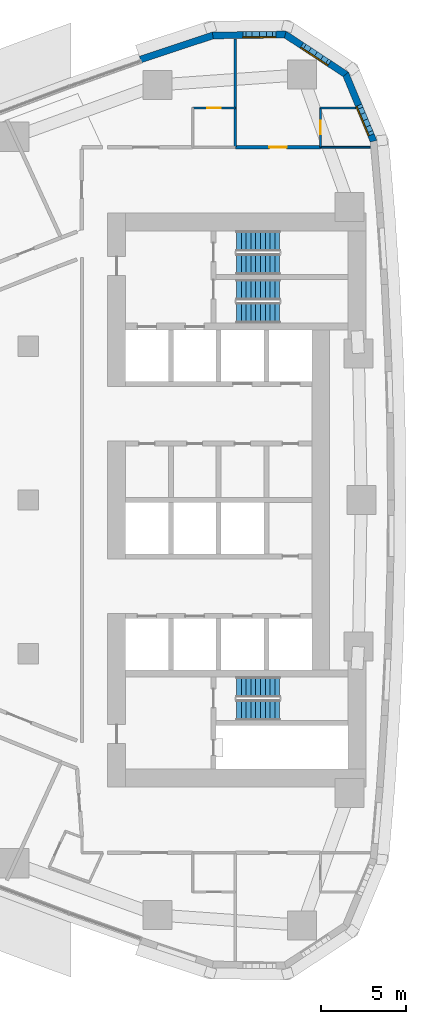
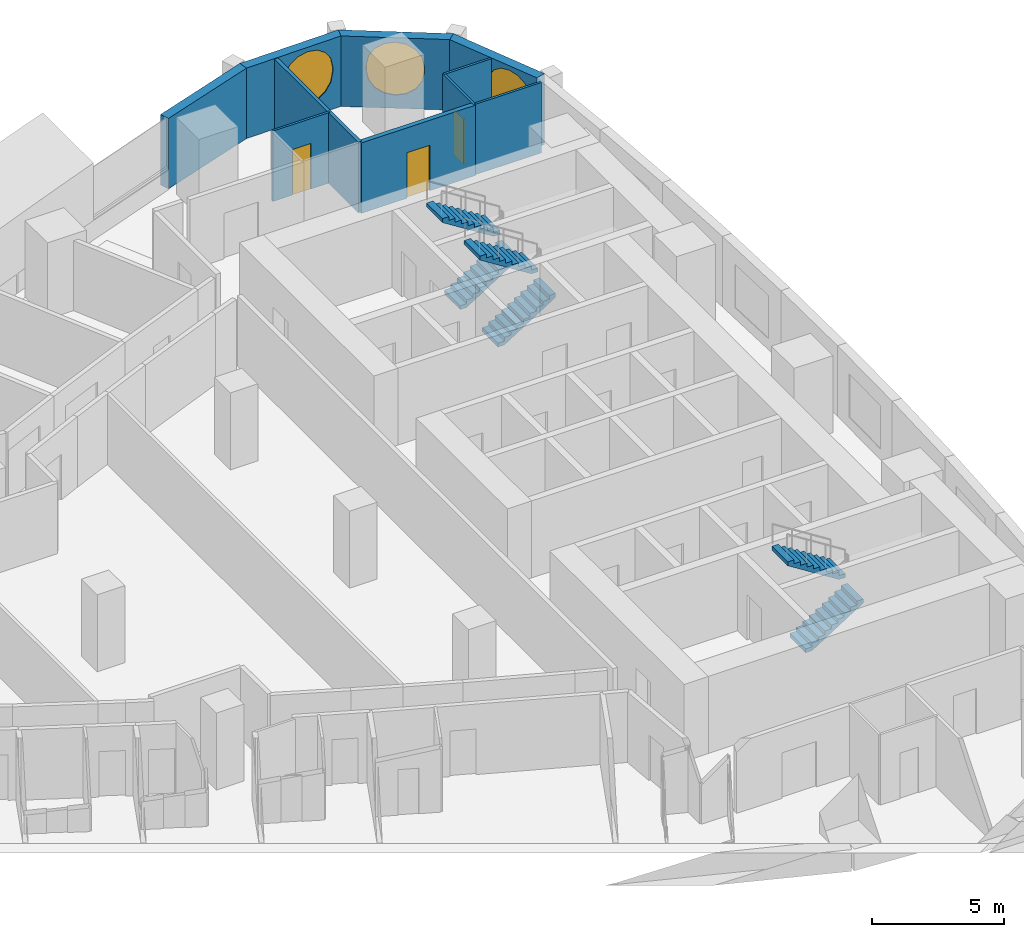
# One storey, part 13 of 17: 10 walls, 6 stair flights, 3 doors, 3 windows, 6 openings, 3 elements without a shape of their own.
"""IFC4 building model written with IfcOpenShell, lengths in metres."""

from ifc_helpers import new_model, si_unit, direction, frame, frame_2d, origin, place, context, subcontext, project, spatial, polyline, rectangle, outline, extrude, material, layer, layer_set, type_object, element, fill, aggregate, save


model = new_model("IFC4")

# Units and contexts
model_context = context("Model", 3, precision=1e-05, world=origin(), true_north=direction((0.0, 1.0)))
body_context = subcontext(model_context, "Body", "Model", "MODEL_VIEW")
ifc_project = project(units=[si_unit("LENGTHUNIT", "METRE"), si_unit("AREAUNIT", "SQUARE_METRE"), si_unit("VOLUMEUNIT", "CUBIC_METRE"), si_unit("PLANEANGLEUNIT", "RADIAN"), si_unit("MASSUNIT", "GRAM", prefix="KILO")], contexts=[model_context])

# Site, building, storey
site_placement = place(None, origin())
site = spatial("IfcSite", under=ifc_project, at=site_placement, CompositionType="ELEMENT")
building_placement = place(site_placement, origin())
building = spatial("IfcBuilding", under=site, at=building_placement, Name="Ostrand Prow Hotel Tower", CompositionType="ELEMENT")
storey_placement = place(building_placement, frame((0.0, 0.0, 88.449951171875)))
storey = spatial("IfcBuildingStorey", under=building, at=storey_placement, Name="L20", CompositionType="ELEMENT", Elevation=88.449951171875)

# Wall, opening, door
ifc_material_1 = material(Name="Plasterboard partition")
ifc_layer_1 = layer(ifc_material_1, 0.10009765625)
ifc_layer_set_1 = layer_set([ifc_layer_1], Name="Plasterboard partition")
wall_type_1 = type_object("IfcWallType", Name="Partition 100 bathroom wall", PredefinedType="PARTITIONING", material=ifc_layer_set_1)
wall_1_placement = place(storey_placement, frame((54.630615234375, 22.949951171875, 0.0), z_axis=(0.0, 0.0, 1.0), x_axis=(1.0, 0.0, 0.0)))
wall_1 = element("IfcWall", 1, at=wall_1_placement, inside=storey, type_object=wall_type_1, Name="BATHROOM WALL", PredefinedType="PARTITIONING", context=body_context, shape_type="SweptSolid", body=[
    extrude(rectangle(XDim=2.5, YDim=0.10009765625, at=frame_2d((1.25, 0.0))), origin(), (0.0, 0.0, 1.0), 3.25),
])
opening_1_placement = place(wall_1_placement, frame((0.85009765625, 0.0, 0.0)))
opening_1 = element("IfcOpeningElement", 2, at=opening_1_placement, cuts=wall_1, Name="Opening D2", PredefinedType="OPENING", context=body_context, shape_type="SweptSolid", body=[
    extrude(rectangle(XDim=0.800048828125, YDim=2.10009765625, at=frame_2d((0.39990234375, 1.050048828125))), frame((0.0, 0.06005859375, 0.0), z_axis=(0.0, -1.0, 0.0), x_axis=(1.0, 0.0, 0.0)), (0.0, 0.0, 1.0), 0.1201171875),
])
ifc_material_2 = material(Name="Timber door leaf", Category="wood")
door_type_1 = type_object("IfcDoorType", Name="Bathroom door 800", OperationType="SINGLE_SWING_LEFT", PredefinedType="DOOR", material=ifc_material_2)
door_1_placement = place(opening_1_placement, origin())
door_1 = element("IfcDoor", 3, at=door_1_placement, inside=storey, type_object=door_type_1, Name="DOOR", OperationType="SINGLE_SWING_LEFT", OverallHeight=2.10009765625, OverallWidth=0.800048828125, PredefinedType="DOOR", context=body_context, shape_type="SweptSolid", body=[
    extrude(rectangle(XDim=0.800048828125, YDim=2.10009765625, at=frame_2d((0.39990234375, 1.050048828125))), frame((0.0, 0.02490234375, 0.0), z_axis=(0.0, -1.0, 0.0), x_axis=(1.0, 0.0, 0.0)), (0.0, 0.0, 1.0), 0.050048828125),
])
fill(opening_1, door_1)

wall_2_placement = place(storey_placement, frame((62.111083984375, 20.64990234375, 0.0), z_axis=(0.0, 0.0, 1.0), x_axis=(0.0, 1.0, 0.0)))
wall_2 = element("IfcWall", 4, at=wall_2_placement, inside=storey, type_object=wall_type_1, Name="BATHROOM WALL", PredefinedType="PARTITIONING", context=body_context, shape_type="SweptSolid", body=[
    extrude(rectangle(XDim=2.300048828125, YDim=0.10009765625, at=frame_2d((1.14990234375, 0.0))), origin(), (0.0, 0.0, 1.0), 3.25),
])
opening_2_placement = place(wall_2_placement, frame((0.75, 0.0, 0.0)))
opening_2 = element("IfcOpeningElement", 5, at=opening_2_placement, cuts=wall_2, Name="Opening D2", PredefinedType="OPENING", context=body_context, shape_type="SweptSolid", body=[
    extrude(rectangle(XDim=0.800048828125, YDim=2.10009765625, at=frame_2d((0.39990234375, 1.050048828125))), frame((0.0, 0.06005859375, 0.0), z_axis=(0.0, -1.0, 0.0), x_axis=(1.0, 0.0, 0.0)), (0.0, 0.0, 1.0), 0.1201171875),
])
door_2_placement = place(opening_2_placement, origin())
door_2 = element("IfcDoor", 6, at=door_2_placement, inside=storey, type_object=door_type_1, Name="DOOR", OperationType="SINGLE_SWING_LEFT", OverallHeight=2.10009765625, OverallWidth=0.800048828125, PredefinedType="DOOR", context=body_context, shape_type="SweptSolid", body=[
    extrude(rectangle(XDim=0.800048828125, YDim=2.10009765625, at=frame_2d((0.39990234375, 1.050048828125))), frame((0.0, 0.02490234375, 0.0), z_axis=(0.0, -1.0, 0.0), x_axis=(1.0, 0.0, 0.0)), (0.0, 0.0, 1.0), 0.050048828125),
])
fill(opening_2, door_2)

# Walls
wall_3_placement = place(storey_placement, frame((62.111083984375, 22.949951171875, 0.0), z_axis=(0.0, 0.0, 1.0), x_axis=(1.0, 0.0, 0.0)))
element("IfcWall", 7, at=wall_3_placement, inside=storey, type_object=wall_type_1, Name="BATHROOM WALL", PredefinedType="PARTITIONING", context=body_context, shape_type="SweptSolid", body=[
    extrude(rectangle(XDim=2.04931640625, YDim=0.10009765625, at=frame_2d((1.024658203125, 0.0))), origin(), (0.0, 0.0, 1.0), 3.25),
])
wall_4_placement = place(storey_placement, frame((65.016845703125, 20.655029296875, 0.0), z_axis=(0.0, 0.0, 1.0), x_axis=(-1.0, 0.0, 0.0)))
element("IfcWall", 8, at=wall_4_placement, inside=storey, type_object=wall_type_1, Name="BATHROOM WALL", PredefinedType="PARTITIONING", context=body_context, shape_type="SweptSolid", body=[
    extrude(rectangle(XDim=2.90576171875, YDim=0.10009765625, at=frame_2d((1.452880859375, 0.0))), origin(), (0.0, 0.0, 1.0), 3.25),
])
ifc_material_3 = material(Name="Plasterboard partition")
ifc_layer_2 = layer(ifc_material_3, 0.14990234375)
ifc_layer_set_2 = layer_set([ifc_layer_2], Name="Plasterboard partition")
wall_type_2 = type_object("IfcWallType", Name="Partition 150 room partition", PredefinedType="PARTITIONING", material=ifc_layer_set_2)
wall_5_placement = place(storey_placement, frame((57.130615234375, 20.64990234375, 0.0), z_axis=(0.0, 0.0, 1.0), x_axis=(0.0, 1.0, 0.0)))
element("IfcWall", 9, at=wall_5_placement, inside=storey, type_object=wall_type_2, Name="ROOM PARTITION", PredefinedType="PARTITIONING", context=body_context, shape_type="SweptSolid", body=[
    extrude(rectangle(XDim=6.3291015625, YDim=0.14990234375, at=frame_2d((3.16455078125, 0.0))), origin(), (0.0, 0.0, 1.0), 3.25),
])

# Wall, opening, door
ifc_material_4 = material(Name="Plasterboard partition")
ifc_layer_3 = layer(ifc_material_4, 0.199951171875)
ifc_layer_set_3 = layer_set([ifc_layer_3], Name="Plasterboard partition")
wall_type_3 = type_object("IfcWallType", Name="Partition 200 corridor wall", PredefinedType="PARTITIONING", material=ifc_layer_set_3)
wall_6_placement = place(storey_placement, frame((62.106201171875, 20.655029296875, 0.0), z_axis=(0.0, 0.0, 1.0), x_axis=(-1.0, 0.0, 0.0)))
wall_6 = element("IfcWall", 10, at=wall_6_placement, inside=storey, type_object=wall_type_3, Name="CORRIDOR WALL", PredefinedType="PARTITIONING", context=body_context, shape_type="SweptSolid", body=[
    extrude(rectangle(XDim=4.970703125, YDim=0.199951171875, at=frame_2d((2.4853515625, 0.0))), origin(), (0.0, 0.0, 1.0), 3.25),
])
opening_3_placement = place(wall_6_placement, frame((1.9853515625, 0.0, 0.0)))
opening_3 = element("IfcOpeningElement", 11, at=opening_3_placement, cuts=wall_6, Name="Opening D1", PredefinedType="OPENING", context=body_context, shape_type="SweptSolid", body=[
    extrude(rectangle(XDim=1.0, YDim=2.10009765625, at=frame_2d((0.5, 1.050048828125))), frame((0.0, 0.10986328125, 0.0), z_axis=(0.0, -1.0, 0.0), x_axis=(1.0, 0.0, 0.0)), (0.0, 0.0, 1.0), 0.219970703125),
])
ifc_material_5 = material(Name="Timber door leaf", Category="wood")
door_type_2 = type_object("IfcDoorType", Name="Guest room door 1000", OperationType="SINGLE_SWING_LEFT", PredefinedType="DOOR", material=ifc_material_5)
door_3_placement = place(opening_3_placement, origin())
door_3 = element("IfcDoor", 12, at=door_3_placement, inside=storey, type_object=door_type_2, Name="DOOR", OperationType="SINGLE_SWING_LEFT", OverallHeight=2.10009765625, OverallWidth=1.0, PredefinedType="DOOR", context=body_context, shape_type="SweptSolid", body=[
    extrude(rectangle(XDim=1.0, YDim=2.10009765625, at=frame_2d((0.5, 1.050048828125))), frame((0.0, 0.02490234375, 0.0), z_axis=(0.0, -1.0, 0.0), x_axis=(1.0, 0.0, 0.0)), (0.0, 0.0, 1.0), 0.050048828125),
])
fill(opening_3, door_3)

# Wall, opening, window
ifc_material_6 = material(Name="Precast concrete C40/50", Category="concrete")
ifc_layer_4 = layer(ifc_material_6, 0.39990234375)
ifc_layer_set_4 = layer_set([ifc_layer_4], Name="Precast concrete C40/50")
wall_type_4 = type_object("IfcWallType", Name="Stone-faced precast wall 400 mm", PredefinedType="NOTDEFINED", material=ifc_layer_set_4)
wall_7_placement = place(storey_placement, frame((65.21728515625, 21.001708984375, 0.0), z_axis=(0.0, 0.0, 1.0), x_axis=(-0.383997751971, 0.923334027577, 0.0)))
wall_7 = element("IfcWall", 13, at=wall_7_placement, inside=storey, type_object=wall_type_4, Name="Stone-faced wall back 15", PredefinedType="NOTDEFINED", context=body_context, shape_type="SweptSolid", body=[
    extrude(outline(polyline([(-0.031005859375, -0.199951171875), (4.300048828125, -0.199951171875), (4.177490234375, 0.199951171875), (0.031005859375, 0.199951171875), (-0.031005859375, -0.199951171875)])), origin(), (0.0, 0.0, 1.0), 3.25),
])
opening_4_placement = place(wall_7_placement, frame((0.28662109375, 0.0, 0.60009765625)))
opening_4 = element("IfcOpeningElement", 14, at=opening_4_placement, cuts=wall_7, Name="Opening WP2-21", PredefinedType="OPENING", context=body_context, shape_type="SweptSolid", body=[
    extrude(outline(polyline([(0.0, 1.39990234375), (0.079833984375, 1.8017578125), (0.3076171875, 2.142333984375), (0.648193359375, 2.3701171875), (1.050048828125, 2.449951171875), (1.451904296875, 2.3701171875), (1.79248046875, 2.142333984375), (2.020263671875, 1.8017578125), (2.10009765625, 1.39990234375), (2.10009765625, 1.050048828125), (2.020263671875, 0.648193359375), (1.79248046875, 0.3076171875), (1.451904296875, 0.079833984375), (1.050048828125, 0.0), (0.648193359375, 0.079833984375), (0.3076171875, 0.3076171875), (0.079833984375, 0.648193359375), (0.0, 1.050048828125), (0.0, 1.39990234375)])), frame((0.0, 0.2099609375, 0.0), z_axis=(0.0, -1.0, 0.0), x_axis=(1.0, 0.0, 0.0)), (0.0, 0.0, 1.0), 0.419921875),
])
ifc_material_7 = material(Name="Insulated glass in bronze frame", Category="glass")
window_type_1 = type_object("IfcWindowType", Name="Round-ended prow lounge window 2100x2450", PartitioningType="SINGLE_PANEL", PredefinedType="WINDOW", material=ifc_material_7)
window_1_placement = place(opening_4_placement, origin())
window_1 = element("IfcWindow", 15, at=window_1_placement, inside=storey, type_object=window_type_1, Name="Window back 15.1", OverallHeight=2.449951171875, OverallWidth=2.10009765625, PartitioningType="SINGLE_PANEL", PredefinedType="WINDOW", context=body_context, shape_type="SweptSolid", body=[
    extrude(outline(polyline([(0.0, 1.39990234375), (0.079833984375, 1.8017578125), (0.3076171875, 2.142333984375), (0.648193359375, 2.3701171875), (1.050048828125, 2.449951171875), (1.451904296875, 2.3701171875), (1.79248046875, 2.142333984375), (2.020263671875, 1.8017578125), (2.10009765625, 1.39990234375), (2.10009765625, 1.050048828125), (2.020263671875, 0.648193359375), (1.79248046875, 0.3076171875), (1.451904296875, 0.079833984375), (1.050048828125, 0.0), (0.648193359375, 0.079833984375), (0.3076171875, 0.3076171875), (0.079833984375, 0.648193359375), (0.0, 1.050048828125), (0.0, 1.39990234375)])), frame((0.0, 0.169921875, 0.0), z_axis=(0.0, -1.0, 0.0), x_axis=(1.0, 0.0, 0.0)), (0.0, 0.0, 1.0), 0.06005859375),
])
fill(opening_4, window_1)

wall_8_placement = place(storey_placement, frame((63.589599609375, 24.91552734375, 0.0), z_axis=(0.0, 0.0, 1.0), x_axis=(-0.835340523653, 0.549732852887, 0.0)))
wall_8 = element("IfcWall", 16, at=wall_8_placement, inside=storey, type_object=wall_type_4, Name="Stone-faced wall back 16", PredefinedType="NOTDEFINED", context=body_context, shape_type="SweptSolid", body=[
    extrude(outline(polyline([(-0.061279296875, -0.199951171875), (4.30029296875, -0.199951171875), (4.177734375, 0.199951171875), (0.061279296875, 0.199951171875), (-0.061279296875, -0.199951171875)])), origin(), (0.0, 0.0, 1.0), 3.25),
])
opening_5_placement = place(wall_8_placement, frame((1.01953125, 0.0, 0.60009765625)))
opening_5 = element("IfcOpeningElement", 17, at=opening_5_placement, cuts=wall_8, Name="Opening WP2", PredefinedType="OPENING", context=body_context, shape_type="SweptSolid", body=[
    extrude(outline(polyline([(0.0, 1.35009765625), (0.083740234375, 1.77099609375), (0.322265625, 2.127685546875), (0.678955078125, 2.3662109375), (1.10009765625, 2.449951171875), (1.52099609375, 2.3662109375), (1.877685546875, 2.127685546875), (2.1162109375, 1.77099609375), (2.199951171875, 1.35009765625), (2.199951171875, 1.10009765625), (2.1162109375, 0.678955078125), (1.877685546875, 0.322265625), (1.52099609375, 0.083740234375), (1.10009765625, 0.0), (0.678955078125, 0.083740234375), (0.322265625, 0.322265625), (0.083740234375, 0.678955078125), (0.0, 1.099853515625), (0.0, 1.35009765625)])), frame((0.0, 0.2099609375, 0.0), z_axis=(0.0, -1.0, 0.0), x_axis=(1.0, 0.0, 0.0)), (0.0, 0.0, 1.0), 0.419921875),
])
ifc_material_8 = material(Name="Insulated glass in bronze frame", Category="glass")
window_type_2 = type_object("IfcWindowType", Name="Round-ended prow lounge window 2200x2450", PartitioningType="SINGLE_PANEL", PredefinedType="WINDOW", material=ifc_material_8)
window_2_placement = place(opening_5_placement, origin())
window_2 = element("IfcWindow", 18, at=window_2_placement, inside=storey, type_object=window_type_2, Name="Window back 16.1", OverallHeight=2.449951171875, OverallWidth=2.199951171875, PartitioningType="SINGLE_PANEL", PredefinedType="WINDOW", context=body_context, shape_type="SweptSolid", body=[
    extrude(outline(polyline([(0.0, 1.35009765625), (0.083740234375, 1.77099609375), (0.322265625, 2.127685546875), (0.678955078125, 2.3662109375), (1.10009765625, 2.449951171875), (1.52099609375, 2.3662109375), (1.877685546875, 2.127685546875), (2.1162109375, 1.77099609375), (2.199951171875, 1.35009765625), (2.199951171875, 1.10009765625), (2.1162109375, 0.678955078125), (1.877685546875, 0.322265625), (1.52099609375, 0.083740234375), (1.10009765625, 0.0), (0.678955078125, 0.083740234375), (0.322265625, 0.322265625), (0.083740234375, 0.678955078125), (0.0, 1.099853515625), (0.0, 1.35009765625)])), frame((0.0, 0.169921875, 0.0), z_axis=(0.0, -1.0, 0.0), x_axis=(1.0, 0.0, 0.0)), (0.0, 0.0, 1.0), 0.06005859375),
])
fill(opening_5, window_2)

wall_9_placement = place(storey_placement, frame((60.048583984375, 27.245849609375, 0.0), z_axis=(0.0, 0.0, 1.0), x_axis=(-0.999919718849, -0.012671063772, 0.0)))
wall_9 = element("IfcWall", 19, at=wall_9_placement, inside=storey, type_object=wall_type_4, Name="Stone-faced wall back 17", PredefinedType="NOTDEFINED", context=body_context, shape_type="SweptSolid", body=[
    extrude(outline(polyline([(-0.061279296875, -0.199951171875), (4.269775390625, -0.199951171875), (4.207763671875, 0.199951171875), (0.061279296875, 0.199951171875), (-0.061279296875, -0.199951171875)])), origin(), (0.0, 0.0, 1.0), 3.25),
])
opening_6_placement = place(wall_9_placement, frame((0.418212890625, 0.0, 0.60009765625)))
opening_6 = element("IfcOpeningElement", 20, at=opening_6_placement, cuts=wall_9, Name="Opening WP2", PredefinedType="OPENING", context=body_context, shape_type="SweptSolid", body=[
    extrude(outline(polyline([(0.0, 1.35009765625), (0.083740234375, 1.77099609375), (0.322265625, 2.127685546875), (0.678955078125, 2.3662109375), (1.10009765625, 2.449951171875), (1.52099609375, 2.3662109375), (1.877685546875, 2.127685546875), (2.1162109375, 1.77099609375), (2.199951171875, 1.35009765625), (2.199951171875, 1.10009765625), (2.1162109375, 0.678955078125), (1.877685546875, 0.322265625), (1.52099609375, 0.083740234375), (1.10009765625, 0.0), (0.678955078125, 0.083740234375), (0.322265625, 0.322265625), (0.083740234375, 0.678955078125), (0.0, 1.099853515625), (0.0, 1.35009765625)])), frame((0.0, 0.2099609375, 0.0), z_axis=(0.0, -1.0, 0.0), x_axis=(1.0, 0.0, 0.0)), (0.0, 0.0, 1.0), 0.419921875),
])
window_3_placement = place(opening_6_placement, origin())
window_3 = element("IfcWindow", 21, at=window_3_placement, inside=storey, type_object=window_type_2, Name="Window back 17.1", OverallHeight=2.449951171875, OverallWidth=2.199951171875, PartitioningType="SINGLE_PANEL", PredefinedType="WINDOW", context=body_context, shape_type="SweptSolid", body=[
    extrude(outline(polyline([(0.0, 1.35009765625), (0.083740234375, 1.77099609375), (0.322265625, 2.127685546875), (0.678955078125, 2.3662109375), (1.10009765625, 2.449951171875), (1.52099609375, 2.3662109375), (1.877685546875, 2.127685546875), (2.1162109375, 1.77099609375), (2.199951171875, 1.35009765625), (2.199951171875, 1.10009765625), (2.1162109375, 0.678955078125), (1.877685546875, 0.322265625), (1.52099609375, 0.083740234375), (1.10009765625, 0.0), (0.678955078125, 0.083740234375), (0.322265625, 0.322265625), (0.083740234375, 0.678955078125), (0.0, 1.099853515625), (0.0, 1.35009765625)])), frame((0.0, 0.169921875, 0.0), z_axis=(0.0, -1.0, 0.0), x_axis=(1.0, 0.0, 0.0)), (0.0, 0.0, 1.0), 0.06005859375),
])
fill(opening_6, window_3)

# Wall
wall_10_placement = place(storey_placement, frame((55.81005859375, 27.192138671875, 0.0), z_axis=(0.0, 0.0, 1.0), x_axis=(-0.94925004851, -0.314522408429, 0.0)))
element("IfcWall", 22, at=wall_10_placement, inside=storey, type_object=wall_type_4, Name="Stone-faced wall back 18", PredefinedType="NOTDEFINED", context=body_context, shape_type="SweptSolid", body=[
    extrude(outline(polyline([(-0.031005859375, -0.199951171875), (4.468017578125, -0.199951171875), (4.468017578125, 0.199951171875), (0.031005859375, 0.199951171875), (-0.031005859375, -0.199951171875)])), origin(), (0.0, 0.0, 1.0), 3.25),
])

# Stair, stair flights
ifc_material_9 = material(Name="Concrete C40/50", Category="concrete")
stair_type = type_object("IfcStairType", Name="Exit stair 1200 upper zone", PredefinedType="HALF_TURN_STAIR", material=ifc_material_9)
stair_1_placement = place(storey_placement, origin())
stair_1 = element("IfcStair", 23, at=stair_1_placement, inside=storey, type_object=stair_type, Name="L20 ST1C", PredefinedType="HALF_TURN_STAIR")
ifc_material_10 = material(Name="Concrete C40/50", Category="concrete")
stair_flight_type = type_object("IfcStairFlightType", Name="Stair flight 1200 concrete", PredefinedType="STRAIGHT", material=ifc_material_10)
stair_flight_1_placement = place(storey_placement, frame((57.199951171875, 10.949951171875, 0.0), z_axis=(0.0, 0.0, 1.0), x_axis=(1.0, 0.0, 0.0)))
stair_flight_1 = element("IfcStairFlight", 24, at=stair_flight_1_placement, type_object=stair_flight_type, Name="ST1C flight 1", NumberOfRisers=10, NumberOfTreads=9, PredefinedType="STRAIGHT", RiserHeight=0.1775, TreadLength=0.28, context=body_context, shape_type="SweptSolid", body=[
    extrude(outline(polyline([(0.0, 0.0), (0.0, 0.177490234375), (0.280029296875, 0.177490234375), (0.280029296875, 0.35498046875), (0.56005859375, 0.35498046875), (0.56005859375, 0.532470703125), (0.840087890625, 0.532470703125), (0.840087890625, 0.7099609375), (1.1201171875, 0.7099609375), (1.1201171875, 0.887451171875), (1.39990234375, 0.887451171875), (1.39990234375, 1.06494140625), (1.679931640625, 1.06494140625), (1.679931640625, 1.242431640625), (1.9599609375, 1.242431640625), (1.9599609375, 1.419921875), (2.239990234375, 1.419921875), (2.239990234375, 1.597412109375), (2.52001953125, 1.597412109375), (2.52001953125, 1.77490234375), (2.52001953125, 1.419921875), (0.280029296875, 0.0), (0.0, 0.0)])), frame((0.0, 0.60009765625, 0.0), z_axis=(0.0, -1.0, 0.0), x_axis=(1.0, 0.0, 0.0)), (0.0, 0.0, 1.0), 1.199951171875),
])
stair_flight_2_placement = place(storey_placement, frame((59.719970703125, 12.300048828125, 1.775146484375), z_axis=(0.0, 0.0, 1.0), x_axis=(-1.0, 0.0, 0.0)))
stair_flight_2 = element("IfcStairFlight", 25, at=stair_flight_2_placement, type_object=stair_flight_type, Name="ST1C flight 2", NumberOfRisers=10, NumberOfTreads=9, PredefinedType="STRAIGHT", RiserHeight=0.1775, TreadLength=0.28, context=body_context, shape_type="SweptSolid", body=[
    extrude(outline(polyline([(0.0, 0.0), (0.0, 0.177490234375), (0.280029296875, 0.177490234375), (0.280029296875, 0.35498046875), (0.56005859375, 0.35498046875), (0.56005859375, 0.532470703125), (0.840087890625, 0.532470703125), (0.840087890625, 0.7099609375), (1.1201171875, 0.7099609375), (1.1201171875, 0.887451171875), (1.39990234375, 0.887451171875), (1.39990234375, 1.06494140625), (1.679931640625, 1.06494140625), (1.679931640625, 1.242431640625), (1.9599609375, 1.242431640625), (1.9599609375, 1.419921875), (2.239990234375, 1.419921875), (2.239990234375, 1.597412109375), (2.52001953125, 1.597412109375), (2.52001953125, 1.77490234375), (2.52001953125, 1.419921875), (0.280029296875, 0.0), (0.0, 0.0)])), frame((0.0, 0.60009765625, 0.0), z_axis=(0.0, -1.0, 0.0), x_axis=(1.0, 0.0, 0.0)), (0.0, 0.0, 1.0), 1.199951171875),
])
aggregate(stair_1, [stair_flight_1, stair_flight_2])

stair_2_placement = place(storey_placement, origin())
stair_2 = element("IfcStair", 26, at=stair_2_placement, inside=storey, type_object=stair_type, Name="L20 ST3C", PredefinedType="HALF_TURN_STAIR")
stair_flight_3_placement = place(storey_placement, frame((57.199951171875, 13.800048828125, 0.0), z_axis=(0.0, 0.0, 1.0), x_axis=(1.0, 0.0, 0.0)))
stair_flight_3 = element("IfcStairFlight", 27, at=stair_flight_3_placement, type_object=stair_flight_type, Name="ST3C flight 1", NumberOfRisers=10, NumberOfTreads=9, PredefinedType="STRAIGHT", RiserHeight=0.1775, TreadLength=0.28, context=body_context, shape_type="SweptSolid", body=[
    extrude(outline(polyline([(0.0, 0.0), (0.0, 0.177490234375), (0.280029296875, 0.177490234375), (0.280029296875, 0.35498046875), (0.56005859375, 0.35498046875), (0.56005859375, 0.532470703125), (0.840087890625, 0.532470703125), (0.840087890625, 0.7099609375), (1.1201171875, 0.7099609375), (1.1201171875, 0.887451171875), (1.39990234375, 0.887451171875), (1.39990234375, 1.06494140625), (1.679931640625, 1.06494140625), (1.679931640625, 1.242431640625), (1.9599609375, 1.242431640625), (1.9599609375, 1.419921875), (2.239990234375, 1.419921875), (2.239990234375, 1.597412109375), (2.52001953125, 1.597412109375), (2.52001953125, 1.77490234375), (2.52001953125, 1.419921875), (0.280029296875, 0.0), (0.0, 0.0)])), frame((0.0, 0.60009765625, 0.0), z_axis=(0.0, -1.0, 0.0), x_axis=(1.0, 0.0, 0.0)), (0.0, 0.0, 1.0), 1.199951171875),
])
stair_flight_4_placement = place(storey_placement, frame((59.719970703125, 15.14990234375, 1.775146484375), z_axis=(0.0, 0.0, 1.0), x_axis=(-1.0, 0.0, 0.0)))
stair_flight_4 = element("IfcStairFlight", 28, at=stair_flight_4_placement, type_object=stair_flight_type, Name="ST3C flight 2", NumberOfRisers=10, NumberOfTreads=9, PredefinedType="STRAIGHT", RiserHeight=0.1775, TreadLength=0.28, context=body_context, shape_type="SweptSolid", body=[
    extrude(outline(polyline([(0.0, 0.0), (0.0, 0.177490234375), (0.280029296875, 0.177490234375), (0.280029296875, 0.35498046875), (0.56005859375, 0.35498046875), (0.56005859375, 0.532470703125), (0.840087890625, 0.532470703125), (0.840087890625, 0.7099609375), (1.1201171875, 0.7099609375), (1.1201171875, 0.887451171875), (1.39990234375, 0.887451171875), (1.39990234375, 1.06494140625), (1.679931640625, 1.06494140625), (1.679931640625, 1.242431640625), (1.9599609375, 1.242431640625), (1.9599609375, 1.419921875), (2.239990234375, 1.419921875), (2.239990234375, 1.597412109375), (2.52001953125, 1.597412109375), (2.52001953125, 1.77490234375), (2.52001953125, 1.419921875), (0.280029296875, 0.0), (0.0, 0.0)])), frame((0.0, 0.60009765625, 0.0), z_axis=(0.0, -1.0, 0.0), x_axis=(1.0, 0.0, 0.0)), (0.0, 0.0, 1.0), 1.199951171875),
])
aggregate(stair_2, [stair_flight_3, stair_flight_4])

stair_3_placement = place(storey_placement, origin())
stair_3 = element("IfcStair", 29, at=stair_3_placement, inside=storey, type_object=stair_type, Name="L20 ST2C", PredefinedType="HALF_TURN_STAIR")
stair_flight_5_placement = place(storey_placement, frame((57.199951171875, -12.300048828125, 0.0), z_axis=(0.0, 0.0, 1.0), x_axis=(1.0, 0.0, 0.0)))
stair_flight_5 = element("IfcStairFlight", 30, at=stair_flight_5_placement, type_object=stair_flight_type, Name="ST2C flight 1", NumberOfRisers=10, NumberOfTreads=9, PredefinedType="STRAIGHT", RiserHeight=0.1775, TreadLength=0.28, context=body_context, shape_type="SweptSolid", body=[
    extrude(outline(polyline([(0.0, 0.0), (0.0, 0.177490234375), (0.280029296875, 0.177490234375), (0.280029296875, 0.35498046875), (0.56005859375, 0.35498046875), (0.56005859375, 0.532470703125), (0.840087890625, 0.532470703125), (0.840087890625, 0.7099609375), (1.1201171875, 0.7099609375), (1.1201171875, 0.887451171875), (1.39990234375, 0.887451171875), (1.39990234375, 1.06494140625), (1.679931640625, 1.06494140625), (1.679931640625, 1.242431640625), (1.9599609375, 1.242431640625), (1.9599609375, 1.419921875), (2.239990234375, 1.419921875), (2.239990234375, 1.597412109375), (2.52001953125, 1.597412109375), (2.52001953125, 1.77490234375), (2.52001953125, 1.419921875), (0.280029296875, 0.0), (0.0, 0.0)])), frame((0.0, 0.60009765625, 0.0), z_axis=(0.0, -1.0, 0.0), x_axis=(1.0, 0.0, 0.0)), (0.0, 0.0, 1.0), 1.199951171875),
])
stair_flight_6_placement = place(storey_placement, frame((59.719970703125, -10.949951171875, 1.775146484375), z_axis=(0.0, 0.0, 1.0), x_axis=(-1.0, 0.0, 0.0)))
stair_flight_6 = element("IfcStairFlight", 31, at=stair_flight_6_placement, type_object=stair_flight_type, Name="ST2C flight 2", NumberOfRisers=10, NumberOfTreads=9, PredefinedType="STRAIGHT", RiserHeight=0.1775, TreadLength=0.28, context=body_context, shape_type="SweptSolid", body=[
    extrude(outline(polyline([(0.0, 0.0), (0.0, 0.177490234375), (0.280029296875, 0.177490234375), (0.280029296875, 0.35498046875), (0.56005859375, 0.35498046875), (0.56005859375, 0.532470703125), (0.840087890625, 0.532470703125), (0.840087890625, 0.7099609375), (1.1201171875, 0.7099609375), (1.1201171875, 0.887451171875), (1.39990234375, 0.887451171875), (1.39990234375, 1.06494140625), (1.679931640625, 1.06494140625), (1.679931640625, 1.242431640625), (1.9599609375, 1.242431640625), (1.9599609375, 1.419921875), (2.239990234375, 1.419921875), (2.239990234375, 1.597412109375), (2.52001953125, 1.597412109375), (2.52001953125, 1.77490234375), (2.52001953125, 1.419921875), (0.280029296875, 0.0), (0.0, 0.0)])), frame((0.0, 0.60009765625, 0.0), z_axis=(0.0, -1.0, 0.0), x_axis=(1.0, 0.0, 0.0)), (0.0, 0.0, 1.0), 1.199951171875),
])
aggregate(stair_3, [stair_flight_5, stair_flight_6])

save(model, "model.ifc")
